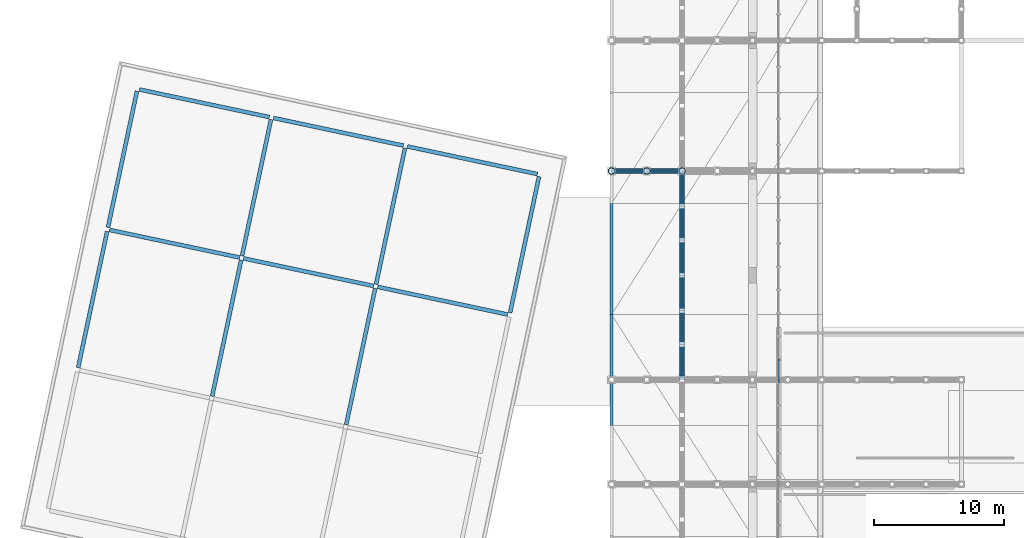
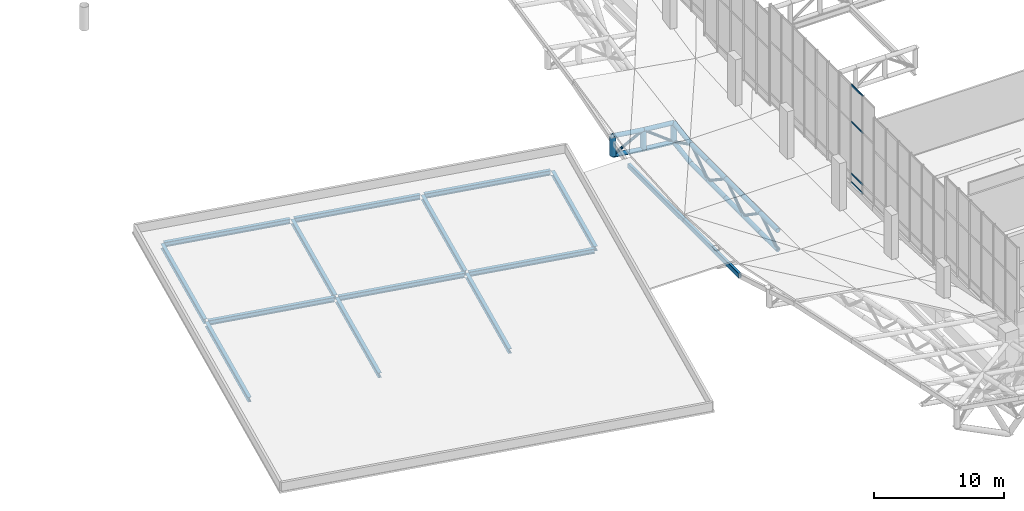
# One storey, part 34 of 137: 31 members, 15 beams, 1 element without a shape of its own.
"""IFC4 building model written with IfcOpenShell, lengths in metres."""

from ifc_helpers import new_model, si_unit, direction, frame, origin, origin_2d, place, context, subcontext, project, spatial, hollow_rectangle, hollow_circle, i_section, extrude, material, layer, layer_set, material_profile, profile_set, type_object, element, aggregate, save


model = new_model("IFC4")

# Units and contexts
model_context = context("Model", 3, precision=1e-05, world=origin(), true_north=direction((0.0, 1.0)))
body_context = subcontext(model_context, "Body", "Model", "MODEL_VIEW")
ifc_project = project(units=[si_unit("LENGTHUNIT", "METRE"), si_unit("AREAUNIT", "SQUARE_METRE"), si_unit("VOLUMEUNIT", "CUBIC_METRE"), si_unit("PLANEANGLEUNIT", "RADIAN"), si_unit("MASSUNIT", "GRAM", prefix="KILO")], contexts=[model_context])

# Site, building, storey
site_placement = place(None, origin())
site = spatial("IfcSite", under=ifc_project, at=site_placement, CompositionType="ELEMENT")
building_placement = place(site_placement, origin())
building = spatial("IfcBuilding", under=site, at=building_placement, Name="Khorjan Park Terminus", CompositionType="ELEMENT")
storey_placement = place(building_placement, frame((0.0, 0.0, 11.4)))
storey = spatial("IfcBuildingStorey", under=building, at=storey_placement, Name="L02", CompositionType="ELEMENT", Elevation=11.4)

# Beams
ifc_material_1 = material(Name="Steel S355", Category="steel")
ifc_material_profile_1 = material_profile(ifc_material_1, i_section(OverallWidth=0.3, OverallDepth=0.44, WebThickness=0.0115, FlangeThickness=0.021, FilletRadius=0.027, at=origin_2d()), Name="HEA 450")
ifc_profile_set_1 = profile_set([ifc_material_profile_1], Name="Steel S355")
beam_type_1 = type_object("IfcBeamType", Name="BM-HEA450", PredefinedType="BEAM", material=ifc_profile_set_1)
beam_1_placement = place(storey_placement, frame((-1.2694, 63.486, -0.22), z_axis=(0.978146241514, -0.207918085342, 0.0), x_axis=(0.207918085342, 0.978146241514, 0.0)))
element("IfcBeam", 1, at=beam_1_placement, inside=storey, type_object=beam_type_1, Name="Pavilion flat roof girder SB-A45 (1)", PredefinedType="BEAM", context=body_context, shape_type="SweptSolid", body=[
    extrude(i_section(OverallWidth=0.3, OverallDepth=0.44, WebThickness=0.0115, FlangeThickness=0.021, FilletRadius=0.027, at=origin_2d()), origin(), (0.0, 0.0, 1.0), 10.18),
])
beam_2_placement = place(storey_placement, frame((1.0176, 74.2456, -0.22), z_axis=(0.978148239262, -0.207908686758, 0.0), x_axis=(0.207908686758, 0.978148239262, 0.0)))
element("IfcBeam", 2, at=beam_2_placement, inside=storey, type_object=beam_type_1, Name="Pavilion flat roof girder SB-A45 (1)", PredefinedType="BEAM", context=body_context, shape_type="SweptSolid", body=[
    extrude(i_section(OverallWidth=0.3, OverallDepth=0.44, WebThickness=0.0115, FlangeThickness=0.021, FilletRadius=0.027, at=origin_2d()), origin(), (0.0, 0.0, 1.0), 10.1799),
])
for number, where, z_axis, x_axis, name in (
    (3, (9.0011, 61.3029, -0.22), (0.978148663875, -0.207906689071, 0.0), (0.207906689071, 0.978148663875, 0.0), "Pavilion flat roof girder SB-A45 (2)"),
    (4, (11.2881, 72.0625, -0.22), (0.978148663875, -0.207906689071, 0.0), (0.207906689071, 0.978148663875, 0.0), "Pavilion flat roof girder SB-A45 (2)"),
):
    element("IfcBeam", number, at=place(storey_placement, frame(where, z_axis=z_axis, x_axis=x_axis)), inside=storey, type_object=beam_type_1, Name=name, PredefinedType="BEAM", context=body_context, shape_type="SweptSolid", body=[
        extrude(i_section(OverallWidth=0.3, OverallDepth=0.44, WebThickness=0.0115, FlangeThickness=0.021, FilletRadius=0.027, at=origin_2d()), origin(), (0.0, 0.0, 1.0), 10.18),
    ])
beam_3_placement = place(storey_placement, frame((19.2717, 59.1198, -0.22), z_axis=(0.978148239262, -0.207908686758, 0.0), x_axis=(0.207908686758, 0.978148239262, 0.0)))
element("IfcBeam", 5, at=beam_3_placement, inside=storey, type_object=beam_type_1, Name="Pavilion flat roof girder SB-A45 (3)", PredefinedType="BEAM", context=body_context, shape_type="SweptSolid", body=[
    extrude(i_section(OverallWidth=0.3, OverallDepth=0.44, WebThickness=0.0115, FlangeThickness=0.021, FilletRadius=0.027, at=origin_2d()), origin(), (0.0, 0.0, 1.0), 10.1799),
])
beam_4_placement = place(storey_placement, frame((21.5587, 69.8795, -0.22), z_axis=(0.978146241514, -0.207918085342, 0.0), x_axis=(0.207918085342, 0.978146241514, 0.0)))
element("IfcBeam", 6, at=beam_4_placement, inside=storey, type_object=beam_type_1, Name="Pavilion flat roof girder SB-A45 (3)", PredefinedType="BEAM", context=body_context, shape_type="SweptSolid", body=[
    extrude(i_section(OverallWidth=0.3, OverallDepth=0.44, WebThickness=0.0115, FlangeThickness=0.021, FilletRadius=0.027, at=origin_2d()), origin(), (0.0, 0.0, 1.0), 10.18),
])
for number, where, z_axis, x_axis, name in (
    (7, (-3.6797, 52.9161, -0.22), (0.20791228413, 0.978147474621, 0.0), (-0.978147474621, 0.20791228413, 0.0), "Pavilion flat roof girder SB-A45 (V2)"),
    (8, (-1.3927, 63.6758, -0.22), (0.20791228413, 0.978147474621, 0.0), (-0.978147474621, 0.20791228413, 0.0), "Pavilion flat roof girder SB-A45 (V3)"),
    (9, (6.5908, 50.7331, -0.22), (0.20791228413, 0.978147474621, 0.0), (-0.978147474621, 0.20791228413, 0.0), "Pavilion flat roof girder SB-A45 (V2)"),
    (10, (8.8779, 61.4927, -0.22), (0.20791228413, 0.978147474621, 0.0), (-0.978147474621, 0.20791228413, 0.0), "Pavilion flat roof girder SB-A45 (V3)"),
    (11, (16.8614, 48.55, -0.22), (0.20791228413, 0.978147474621, 0.0), (-0.978147474621, 0.20791228413, 0.0), "Pavilion flat roof girder SB-A45 (V2)"),
    (12, (19.1484, 59.3096, -0.22), (0.20791228413, 0.978147474621, 0.0), (-0.978147474621, 0.20791228413, 0.0), "Pavilion flat roof girder SB-A45 (V3)"),
    (13, (29.419, 57.1265, -0.22), (0.20791228413, 0.978147474621, 0.0), (-0.978147474621, 0.20791228413, 0.0), "Pavilion flat roof girder SB-A45 (V3)"),
):
    element("IfcBeam", number, at=place(storey_placement, frame(where, z_axis=z_axis, x_axis=x_axis)), inside=storey, type_object=beam_type_1, Name=name, PredefinedType="BEAM", context=body_context, shape_type="SweptSolid", body=[
        extrude(i_section(OverallWidth=0.3, OverallDepth=0.44, WebThickness=0.0115, FlangeThickness=0.021, FilletRadius=0.027, at=origin_2d()), origin(), (0.0, 0.0, 1.0), 10.68),
    ])

# Members
ifc_material_profile_2 = material_profile(ifc_material_1, hollow_circle(Radius=0.1222, WallThickness=0.0125, at=origin_2d()), Name="CHS 244.5x12.5")
ifc_profile_set_2 = profile_set([ifc_material_profile_2], Name="Steel S355")
member_type_1 = type_object("IfcMemberType", Name="MB-BRE-245", PredefinedType="BRACE", material=ifc_profile_set_2)
member_1_placement = place(storey_placement, frame((37.2, 68.0, -0.7666), z_axis=(0.884884806763, 0.0, 0.465809916983), x_axis=(0.0, 1.0, 0.0)))
element("IfcMember", 14, at=member_1_placement, inside=storey, type_object=member_type_1, Name="Lower shell W/E truss diagonal (W3)", PredefinedType="BRACE", context=body_context, shape_type="SweptSolid", body=[
    extrude(hollow_circle(Radius=0.1222, WallThickness=0.0125, at=origin_2d()), origin(), (0.0, 0.0, 1.0), 3.0512),
])
member_2_placement = place(storey_placement, frame((39.9, 68.0, 0.6547), z_axis=(0.794273490768, 0.0, -0.607560385364), x_axis=(0.0, 1.0, 0.0)))
element("IfcMember", 15, at=member_2_placement, inside=storey, type_object=member_type_1, Name="Lower shell W/E truss diagonal (W3)", PredefinedType="BRACE", context=body_context, shape_type="SweptSolid", body=[
    extrude(hollow_circle(Radius=0.1222, WallThickness=0.0125, at=origin_2d()), origin(), (0.0, 0.0, 1.0), 3.3993),
])
member_3_placement = place(storey_placement, frame((42.6, 52.0, -1.828), z_axis=(0.0, 0.832050294338, 0.554700196225), x_axis=(-1.0, 0.0, 0.0)))
element("IfcMember", 16, at=member_3_placement, inside=storey, type_object=member_type_1, Name="Lower shell mid-ring diagonal (W15)", PredefinedType="BRACE", context=body_context, shape_type="SweptSolid", body=[
    extrude(hollow_circle(Radius=0.1222, WallThickness=0.0125, at=origin_2d()), origin(), (0.0, 0.0, 1.0), 3.245),
])
member_4_placement = place(storey_placement, frame((42.6, 54.7, -0.028), z_axis=(0.0, 0.822192191644, -0.56920997883), x_axis=(-1.0, 0.0, 0.0)))
element("IfcMember", 17, at=member_4_placement, inside=storey, type_object=member_type_1, Name="Lower shell mid-ring diagonal (W16)", PredefinedType="BRACE", context=body_context, shape_type="SweptSolid", body=[
    extrude(hollow_circle(Radius=0.1222, WallThickness=0.0125, at=origin_2d()), origin(), (0.0, 0.0, 1.0), 3.1623),
])
for number, where, z_axis, x_axis, name in (
    (18, (42.6, 57.3, -1.828), (0.0, 0.832050294338, 0.554700196225), (-1.0, 0.0, 0.0), "Lower shell mid-ring diagonal (W17)"),
    (19, (42.6, 60.0, -0.028), (0.0, 0.832050294338, -0.554700196225), (-1.0, 0.0, 0.0), "Lower shell mid-ring diagonal (W18)"),
):
    element("IfcMember", number, at=place(storey_placement, frame(where, z_axis=z_axis, x_axis=x_axis)), inside=storey, type_object=member_type_1, Name=name, PredefinedType="BRACE", context=body_context, shape_type="SweptSolid", body=[
        extrude(hollow_circle(Radius=0.1222, WallThickness=0.0125, at=origin_2d()), origin(), (0.0, 0.0, 1.0), 3.245),
    ])
member_5_placement = place(storey_placement, frame((42.6, 62.7, -1.828), z_axis=(0.0, 0.822192191644, 0.56920997883), x_axis=(-1.0, 0.0, 0.0)))
element("IfcMember", 20, at=member_5_placement, inside=storey, type_object=member_type_1, Name="Lower shell mid-ring diagonal (W19)", PredefinedType="BRACE", context=body_context, shape_type="SweptSolid", body=[
    extrude(hollow_circle(Radius=0.1222, WallThickness=0.0125, at=origin_2d()), origin(), (0.0, 0.0, 1.0), 3.1623),
])
member_6_placement = place(storey_placement, frame((42.6, 65.3, -0.028), z_axis=(0.0, 0.890087077474, -0.455790516043), x_axis=(-1.0, 0.0, 0.0)))
element("IfcMember", 21, at=member_6_placement, inside=storey, type_object=member_type_1, Name="Lower shell mid-ring diagonal (W20)", PredefinedType="BRACE", context=body_context, shape_type="SweptSolid", body=[
    extrude(hollow_circle(Radius=0.1222, WallThickness=0.0125, at=origin_2d()), origin(), (0.0, 0.0, 1.0), 3.0334),
])
ifc_material_profile_3 = material_profile(ifc_material_1, hollow_circle(Radius=0.2032, WallThickness=0.016, at=origin_2d()), Name="CHS 406.4x16")
ifc_profile_set_3 = profile_set([ifc_material_profile_3], Name="Steel S355")
member_type_2 = type_object("IfcMemberType", Name="MB-CHE-406", PredefinedType="CHORD", material=ifc_profile_set_3)
for number, where, z_axis, x_axis, name in (
    (22, (37.2, 68.0, 1.0334), (0.990306461172, 0.0, -0.138899650684), (0.0, 1.0, 0.0), "Lower shell W/E truss top chord (W3)"),
    (23, (37.2, 68.0, -0.7666), (0.990306461172, 0.0, -0.138899650684), (0.0, 1.0, 0.0), "Lower shell W/E truss bottom chord (W3)"),
):
    element("IfcMember", number, at=place(storey_placement, frame(where, z_axis=z_axis, x_axis=x_axis)), inside=storey, type_object=member_type_2, Name=name, PredefinedType="CHORD", context=body_context, shape_type="SweptSolid", body=[
        extrude(hollow_circle(Radius=0.2032, WallThickness=0.016, at=origin_2d()), origin(), (0.0, 0.0, 1.0), 2.7264),
    ])
for number, where, z_axis, x_axis, name in (
    (24, (39.9, 68.0, 0.6547), (0.995207236372, 0.0, -0.097788325855), (0.0, 1.0, 0.0), "Lower shell W/E truss top chord (W3)"),
    (25, (39.9, 68.0, -1.1453), (0.995207236372, 0.0, -0.097788325855), (0.0, 1.0, 0.0), "Lower shell W/E truss bottom chord (W3)"),
):
    element("IfcMember", number, at=place(storey_placement, frame(where, z_axis=z_axis, x_axis=x_axis)), inside=storey, type_object=member_type_2, Name=name, PredefinedType="CHORD", context=body_context, shape_type="SweptSolid", body=[
        extrude(hollow_circle(Radius=0.2032, WallThickness=0.016, at=origin_2d()), origin(), (0.0, 0.0, 1.0), 2.713),
    ])
for number, where, z_axis, x_axis, name in (
    (26, (42.6, 52.0, -0.028), (0.0, 1.0, 0.0), (-1.0, 0.0, 0.0), "Lower shell mid-ring top chord (W15)"),
    (27, (42.6, 52.0, -1.828), (0.0, 1.0, 0.0), (-1.0, 0.0, 0.0), "Lower shell mid-ring bottom chord (W15)"),
):
    element("IfcMember", number, at=place(storey_placement, frame(where, z_axis=z_axis, x_axis=x_axis)), inside=storey, type_object=member_type_2, Name=name, PredefinedType="CHORD", context=body_context, shape_type="SweptSolid", body=[
        extrude(hollow_circle(Radius=0.2032, WallThickness=0.016, at=origin_2d()), origin(), (0.0, 0.0, 1.0), 2.7),
    ])
for number, where, z_axis, x_axis, name in (
    (28, (42.6, 54.7, -0.028), (0.0, 1.0, 0.0), (-1.0, 0.0, 0.0), "Lower shell mid-ring top chord (W16)"),
    (29, (42.6, 54.7, -1.828), (0.0, 1.0, 0.0), (-1.0, 0.0, 0.0), "Lower shell mid-ring bottom chord (W16)"),
):
    element("IfcMember", number, at=place(storey_placement, frame(where, z_axis=z_axis, x_axis=x_axis)), inside=storey, type_object=member_type_2, Name=name, PredefinedType="CHORD", context=body_context, shape_type="SweptSolid", body=[
        extrude(hollow_circle(Radius=0.2032, WallThickness=0.016, at=origin_2d()), origin(), (0.0, 0.0, 1.0), 2.6),
    ])
for number, where, z_axis, x_axis, name in (
    (30, (42.6, 57.3, -0.028), (0.0, 1.0, 0.0), (-1.0, 0.0, 0.0), "Lower shell mid-ring top chord (W17)"),
    (31, (42.6, 57.3, -1.828), (0.0, 1.0, 0.0), (-1.0, 0.0, 0.0), "Lower shell mid-ring bottom chord (W17)"),
    (32, (42.6, 60.0, -0.028), (0.0, 1.0, 0.0), (-1.0, 0.0, 0.0), "Lower shell mid-ring top chord (W18)"),
    (33, (42.6, 60.0, -1.828), (0.0, 1.0, 0.0), (-1.0, 0.0, 0.0), "Lower shell mid-ring bottom chord (W18)"),
):
    element("IfcMember", number, at=place(storey_placement, frame(where, z_axis=z_axis, x_axis=x_axis)), inside=storey, type_object=member_type_2, Name=name, PredefinedType="CHORD", context=body_context, shape_type="SweptSolid", body=[
        extrude(hollow_circle(Radius=0.2032, WallThickness=0.016, at=origin_2d()), origin(), (0.0, 0.0, 1.0), 2.7),
    ])
for number, where, z_axis, x_axis, name in (
    (34, (42.6, 62.7, -0.028), (0.0, 1.0, 0.0), (-1.0, 0.0, 0.0), "Lower shell mid-ring top chord (W19)"),
    (35, (42.6, 62.7, -1.828), (0.0, 1.0, 0.0), (-1.0, 0.0, 0.0), "Lower shell mid-ring bottom chord (W19)"),
):
    element("IfcMember", number, at=place(storey_placement, frame(where, z_axis=z_axis, x_axis=x_axis)), inside=storey, type_object=member_type_2, Name=name, PredefinedType="CHORD", context=body_context, shape_type="SweptSolid", body=[
        extrude(hollow_circle(Radius=0.2032, WallThickness=0.016, at=origin_2d()), origin(), (0.0, 0.0, 1.0), 2.6),
    ])
for number, where, z_axis, x_axis, name in (
    (36, (42.6, 65.3, -0.028), (0.0, 0.988260570351, 0.152777763728), (-1.0, 0.0, 0.0), "Lower shell mid-ring top chord (W20)"),
    (37, (42.6, 65.3, -1.828), (0.0, 0.988260570351, 0.152777763728), (-1.0, 0.0, 0.0), "Lower shell mid-ring bottom chord (W20)"),
):
    element("IfcMember", number, at=place(storey_placement, frame(where, z_axis=z_axis, x_axis=x_axis)), inside=storey, type_object=member_type_2, Name=name, PredefinedType="CHORD", context=body_context, shape_type="SweptSolid", body=[
        extrude(hollow_circle(Radius=0.2032, WallThickness=0.016, at=origin_2d()), origin(), (0.0, 0.0, 1.0), 2.7321),
    ])
ifc_material_profile_4 = material_profile(ifc_material_1, hollow_circle(Radius=0.254, WallThickness=0.02, at=origin_2d()), Name="CHS 508x20")
ifc_profile_set_4 = profile_set([ifc_material_profile_4], Name="Steel S355")
member_type_3 = type_object("IfcMemberType", Name="MB-STE-508", PredefinedType="STRUT", material=ifc_profile_set_4)
for number, where, z_axis, x_axis, name in (
    (38, (37.2, 68.0, -0.7666), (0.0, 0.0, 1.0), (1.0, 0.0, 0.0), "Lower shell W/E truss post (W3)"),
    (39, (39.9, 68.0, -1.1453), (0.0, 0.0, 1.0), (1.0, 0.0, 0.0), "Lower shell W/E truss post (W3)"),
    (40, (42.6, 68.0, -1.4106), (0.0, 0.0, 1.0), (1.0, 0.0, 0.0), "Lower shell W/E truss post (W3)"),
):
    element("IfcMember", number, at=place(storey_placement, frame(where, z_axis=z_axis, x_axis=x_axis)), inside=storey, type_object=member_type_3, Name=name, PredefinedType="STRUT", context=body_context, shape_type="SweptSolid", body=[
        extrude(hollow_circle(Radius=0.254, WallThickness=0.02, at=origin_2d()), origin(), (0.0, 0.0, 1.0), 1.8),
    ])

# Beams
ifc_material_profile_5 = material_profile(ifc_material_1, hollow_rectangle(XDim=0.25, YDim=0.45, WallThickness=0.016, InnerFilletRadius=0.016, OuterFilletRadius=0.032, at=origin_2d()), Name="RHS 450x250x16")
ifc_profile_set_5 = profile_set([ifc_material_profile_5], Name="Steel S355")
beam_type_2 = type_object("IfcBeamType", Name="SP-RHS450", PredefinedType="SPANDREL", material=ifc_profile_set_5)
for number, where, z_axis, x_axis, name in (
    (41, (37.2, 48.5, -0.225), (0.0, 1.0, 0.0), (-1.0, 0.0, 0.0), "Lower wrapping shell upturned edge beam SP-R45 (38)"),
    (42, (37.2, 57.0, -0.225), (0.0, 1.0, 0.0), (-1.0, 0.0, 0.0), "Lower wrapping shell upturned edge beam SP-R45 (39)"),
):
    element("IfcBeam", number, at=place(storey_placement, frame(where, z_axis=z_axis, x_axis=x_axis)), inside=storey, type_object=beam_type_2, Name=name, PredefinedType="SPANDREL", context=body_context, shape_type="SweptSolid", body=[
        extrude(hollow_rectangle(XDim=0.25, YDim=0.45, WallThickness=0.016, InnerFilletRadius=0.016, OuterFilletRadius=0.032, at=origin_2d()), origin(), (0.0, 0.0, 1.0), 8.5),
    ])

# Curtain wall, members
ifc_material_2 = material(Name="Anodized Bronze Aluminium", Category="aluminium")
ifc_layer = layer(ifc_material_2, 0.22)
ifc_layer_set = layer_set([ifc_layer], Name="Anodized Bronze Aluminium")
curtain_wall_type = type_object("IfcCurtainWallType", Name="CW-CONC-CLR", PredefinedType="NOTDEFINED", material=ifc_layer_set)
curtain_wall_placement = place(storey_placement, origin())
curtain_wall = element("IfcCurtainWall", 43, at=curtain_wall_placement, inside=storey, type_object=curtain_wall_type, Name="Unitized curtain wall CW-CL (CW-V2-W-CLR-03)", PredefinedType="NOTDEFINED")
ifc_material_profile_6 = material_profile(ifc_material_2, hollow_rectangle(XDim=0.07, YDim=0.16, WallThickness=0.004, InnerFilletRadius=0.004, OuterFilletRadius=0.008, at=origin_2d()), Name="ALT 70x160x4")
ifc_profile_set_6 = profile_set([ifc_material_profile_6], Name="Anodized Bronze Aluminium")
member_type_4 = type_object("IfcMemberType", Name="TR-ALT-160", PredefinedType="USERDEFINED", material=ifc_profile_set_6)
member_7_placement = place(storey_placement, frame((50.0, 53.5556, 0.99), z_axis=(0.0, -1.0, 0.0), x_axis=(1.0, 0.0, 0.0)))
member_7 = element("IfcMember", 44, at=member_7_placement, type_object=member_type_4, Name="Curtain-wall transom TR-16 (CW-V2-W-CLR-03-7-1)", ObjectType="TRANSOM", PredefinedType="USERDEFINED", context=body_context, shape_type="SweptSolid", body=[
    extrude(hollow_rectangle(XDim=0.07, YDim=0.16, WallThickness=0.004, InnerFilletRadius=0.004, OuterFilletRadius=0.008, at=origin_2d()), origin(), (0.0, 0.0, 1.0), 1.7778),
])
member_8_placement = place(storey_placement, frame((50.0, 53.5556, 1.8), z_axis=(0.0, -1.0, 0.0), x_axis=(1.0, 0.0, 0.0)))
member_8 = element("IfcMember", 45, at=member_8_placement, type_object=member_type_4, Name="Curtain-wall transom TR-16 (CW-V2-W-CLR-03-7-2)", ObjectType="TRANSOM", PredefinedType="USERDEFINED", context=body_context, shape_type="SweptSolid", body=[
    extrude(hollow_rectangle(XDim=0.07, YDim=0.16, WallThickness=0.004, InnerFilletRadius=0.004, OuterFilletRadius=0.008, at=origin_2d()), origin(), (0.0, 0.0, 1.0), 1.7778),
])
member_9_placement = place(storey_placement, frame((50.0, 53.5556, 6.648), z_axis=(0.0, -1.0, 0.0), x_axis=(1.0, 0.0, 0.0)))
member_9 = element("IfcMember", 46, at=member_9_placement, type_object=member_type_4, Name="Curtain-wall transom TR-16 (CW-V2-W-CLR-03-7-3)", ObjectType="TRANSOM", PredefinedType="USERDEFINED", context=body_context, shape_type="SweptSolid", body=[
    extrude(hollow_rectangle(XDim=0.07, YDim=0.16, WallThickness=0.004, InnerFilletRadius=0.004, OuterFilletRadius=0.008, at=origin_2d()), origin(), (0.0, 0.0, 1.0), 1.7778),
])
member_10_placement = place(storey_placement, frame((50.0, 53.5556, 10.1004), z_axis=(0.0, -1.0, 0.0), x_axis=(1.0, 0.0, 0.0)))
member_10 = element("IfcMember", 47, at=member_10_placement, type_object=member_type_4, Name="Curtain-wall transom TR-16 (CW-V2-W-CLR-03-7-4)", ObjectType="TRANSOM", PredefinedType="USERDEFINED", context=body_context, shape_type="SweptSolid", body=[
    extrude(hollow_rectangle(XDim=0.07, YDim=0.16, WallThickness=0.004, InnerFilletRadius=0.004, OuterFilletRadius=0.008, at=origin_2d()), origin(), (0.0, 0.0, 1.0), 1.7778),
])
aggregate(curtain_wall, [member_7, member_8, member_9, member_10])

save(model, "model.ifc")
